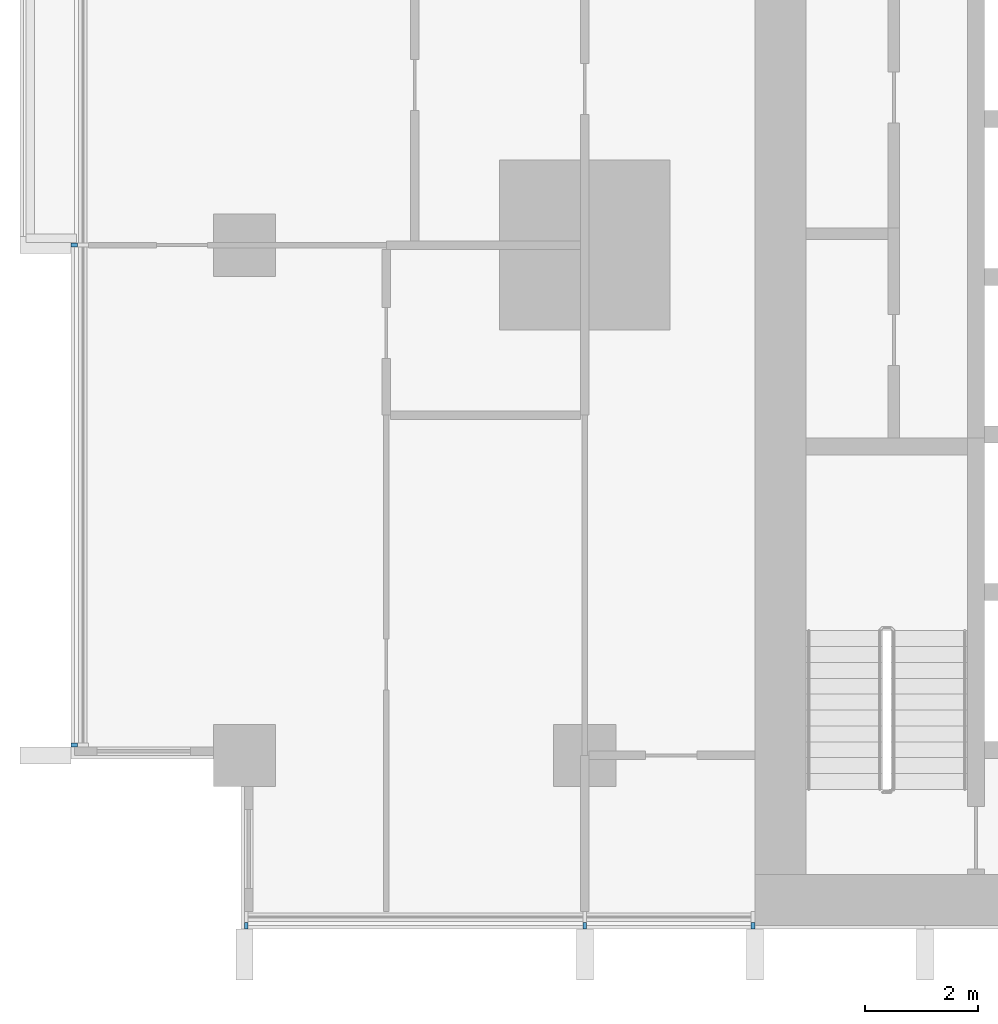
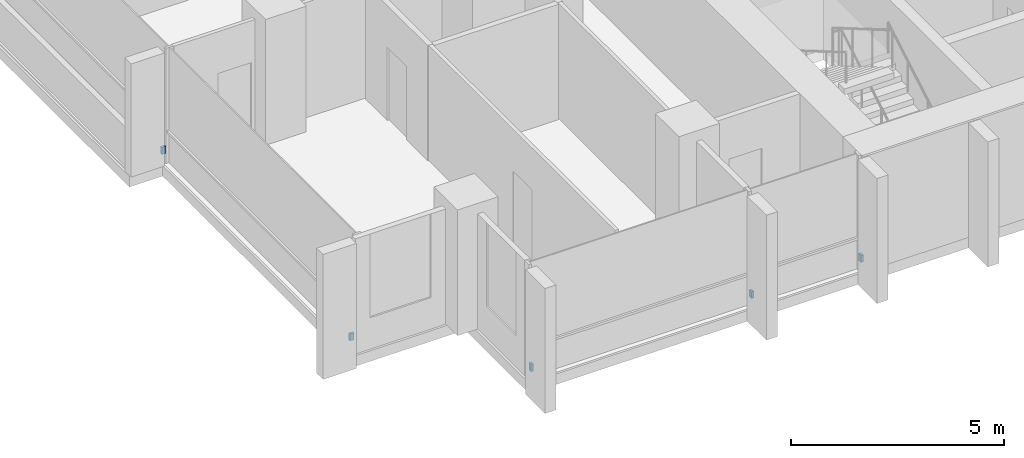
# One storey, part 14 of 18: 5 discrete accessories.
"""IFC4 building model written with IfcOpenShell, lengths in metres."""

from ifc_helpers import new_model, si_unit, direction, frame, origin, origin_2d, place, context, subcontext, project, spatial, rectangle, extrude, material, type_object, element, save


model = new_model("IFC4")

# Units and contexts
model_context = context("Model", 3, precision=1e-05, world=origin(), true_north=direction((0.0, 1.0)))
body_context = subcontext(model_context, "Body", "Model", "MODEL_VIEW")
ifc_project = project(units=[si_unit("LENGTHUNIT", "METRE"), si_unit("AREAUNIT", "SQUARE_METRE"), si_unit("VOLUMEUNIT", "CUBIC_METRE"), si_unit("PLANEANGLEUNIT", "RADIAN"), si_unit("MASSUNIT", "GRAM", prefix="KILO")], contexts=[model_context])

# Site, building, storey
site_placement = place(None, origin())
site = spatial("IfcSite", under=ifc_project, at=site_placement, CompositionType="ELEMENT")
building_placement = place(site_placement, origin())
building = spatial("IfcBuilding", under=site, at=building_placement, Name="Finial Court Residences", CompositionType="ELEMENT")
storey_placement = place(building_placement, frame((0.0, 0.0, 43.300048828125)))
storey = spatial("IfcBuildingStorey", under=building, at=storey_placement, Name="L09", CompositionType="ELEMENT", Elevation=43.300048828125)

# Discrete accessories
ifc_material = material(Name="Stainless steel 316", Category="steel")
discrete_accessory_type = type_object("IfcDiscreteAccessoryType", Name="Fin bracket, stainless steel 65 x 110 x 200", PredefinedType="BRACKET", material=ifc_material)
for number, where, z_axis, x_axis, name in (
    (1, (-22.467529296875, -25.5048828125, 0.2998046875), (0.0, 0.0, 1.0), (1.0, 0.0, 0.0), "E-L09-FIN-S17-BRK"),
    (2, (-16.5, -25.5048828125, 0.2998046875), (0.0, 0.0, 1.0), (1.0, 0.0, 0.0), "E-L09-FIN-S18-BRK"),
    (3, (-13.532470703125, -25.5048828125, 0.2998046875), (0.0, 0.0, 1.0), (1.0, 0.0, 0.0), "E-L09-FIN-S19-BRK"),
):
    element("IfcDiscreteAccessory", number, at=place(storey_placement, frame(where, z_axis=z_axis, x_axis=x_axis)), inside=storey, type_object=discrete_accessory_type, Name=name, PredefinedType="BRACKET", context=body_context, shape_type="SweptSolid", body=[
        extrude(rectangle(XDim=0.06494140625, YDim=0.110107421875, at=origin_2d()), origin(), (0.0, 0.0, 1.0), 0.199951171875),
    ])
for number, where, z_axis, x_axis, name in (
    (4, (-25.5048828125, -22.3173828125, 0.2998046875), (0.0, 0.0, 1.0), (1.0, 0.0, 0.0), "E-L09-FIN-W27-BRK"),
    (5, (-25.5048828125, -13.5, 0.2998046875), (0.0, 0.0, 1.0), (1.0, 0.0, 0.0), "E-L09-FIN-W28-BRK"),
):
    element("IfcDiscreteAccessory", number, at=place(storey_placement, frame(where, z_axis=z_axis, x_axis=x_axis)), inside=storey, type_object=discrete_accessory_type, Name=name, PredefinedType="BRACKET", context=body_context, shape_type="SweptSolid", body=[
        extrude(rectangle(XDim=0.110107421875, YDim=0.06494140625, at=origin_2d()), origin(), (0.0, 0.0, 1.0), 0.199951171875),
    ])

save(model, "model.ifc")
